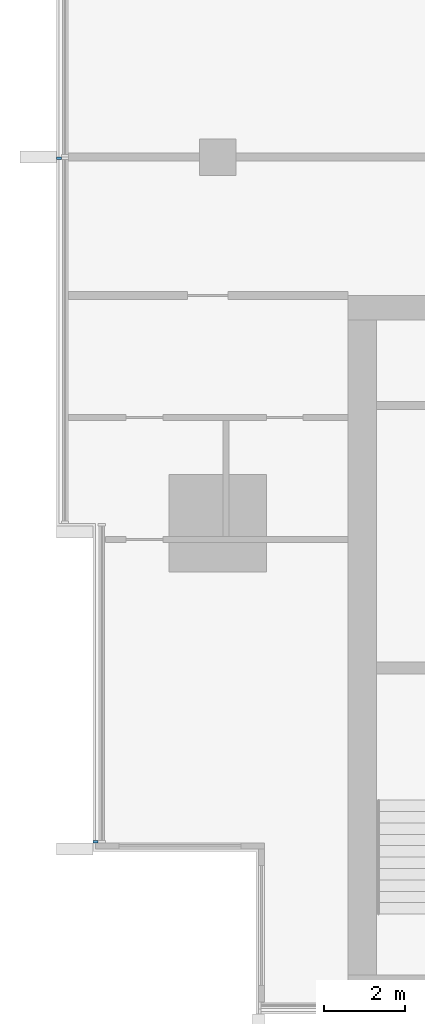
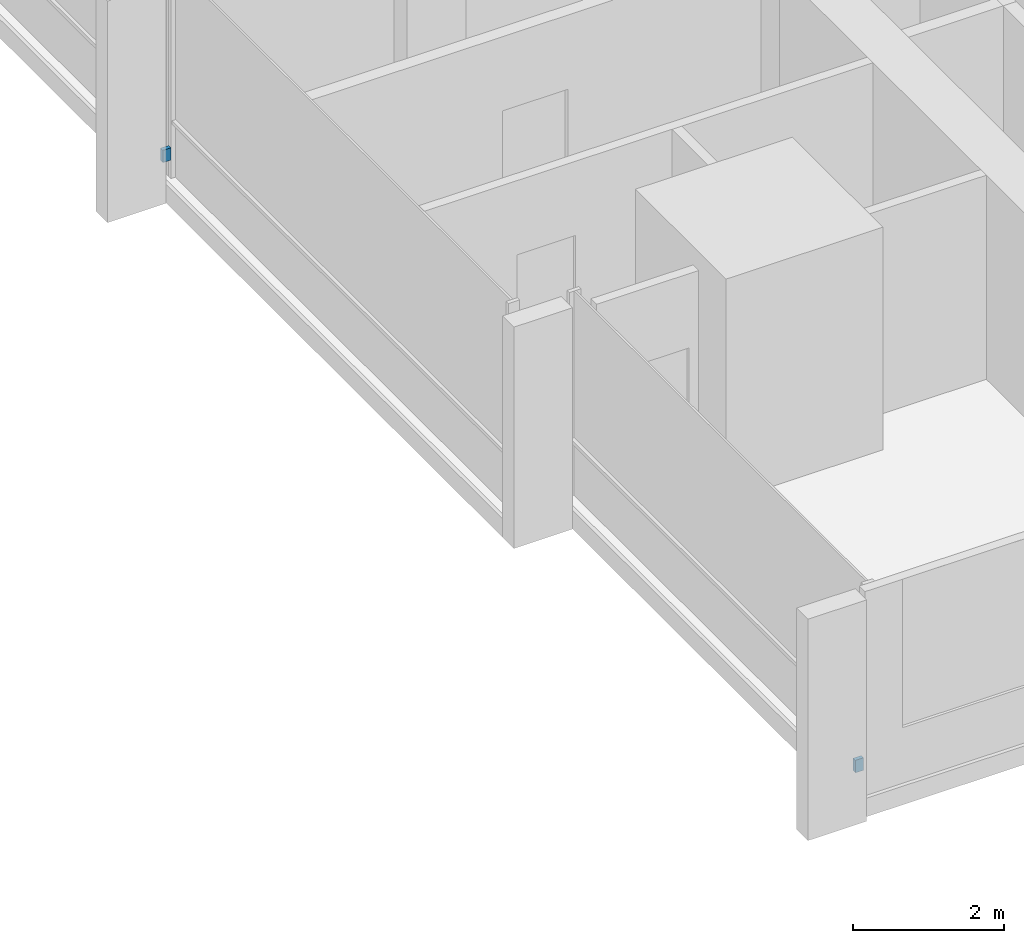
# One storey, part 12 of 16: 2 discrete accessories.
"""IFC4 building model written with IfcOpenShell, lengths in metres."""

import ifcopenshell
import ifcopenshell.guid

model = None  # the IFC model being written
_history = None  # IfcOwnerHistory: only IFC2X3 demands one
_inside = {}  # id of a spatial element -> (the spatial element, [elements in it])
_under = {}  # id of a project, library or spatial element -> (it, [spatial elements below it])
_declared = {}  # id of a project -> (the project, [libraries it declares])
_typed = {}  # id of a type object -> (the type object, [elements of that type])
_made_of = {}  # id of a material, layer set ... -> (it, [elements and type objects made of it])


def new_model(schema):
    """Start an empty IFC model of exactly this schema.

    Asked for "IFC4X3", IfcOpenShell would pick the latest addendum, in which some entities
    have other attributes; the version numbers below select the first issue.
    IFC2X3 requires an IfcOwnerHistory on every rooted entity: one is made here for all.
    """
    global model, _history
    if schema == "IFC4X3":
        model = ifcopenshell.file(schema_version=(4, 3, 0, 0))
    else:
        model = ifcopenshell.file(schema=schema)
    _inside.clear()
    _under.clear()
    _declared.clear()
    _typed.clear()
    _made_of.clear()
    _history = None
    if model.schema == "IFC2X3":
        org = make("IfcOrganization", Name="unknown")
        user = make(
            "IfcPersonAndOrganization",
            ThePerson=make("IfcPerson", FamilyName="unknown"),
            TheOrganization=org,
        )
        app = make(
            "IfcApplication",
            ApplicationDeveloper=org,
            Version="unknown",
            ApplicationFullName="unknown",
            ApplicationIdentifier="unknown",
        )
        _history = make(
            "IfcOwnerHistory",
            OwningUser=user,
            OwningApplication=app,
            ChangeAction="ADDED",
            CreationDate=0,
        )
    return model


def make(cls, **values):
    """One entity of the class cls with the attributes given. An attribute that is None is left unset."""
    return model.create_entity(
        cls, **{name: value for name, value in values.items() if value is not None}
    )


def rooted(cls, **values):
    """An entity with a GlobalId (a new one), such as an element, a storey or a relation."""
    return make(cls, GlobalId=ifcopenshell.guid.new(), OwnerHistory=_history, **values)


def si_unit(unit_type, name, prefix=None):
    """IfcSIUnit, for example si_unit("LENGTHUNIT", "METRE", prefix="MILLI")."""
    return make("IfcSIUnit", UnitType=unit_type, Prefix=prefix, Name=name)


def assignment(units):
    """IfcUnitAssignment: the units of a project."""
    return None if units is None else make("IfcUnitAssignment", Units=units)


def point(xyz):
    """IfcCartesianPoint."""
    return None if xyz is None else make("IfcCartesianPoint", Coordinates=xyz)


def direction(xyz):
    """IfcDirection."""
    return None if xyz is None else make("IfcDirection", DirectionRatios=xyz)


def frame(location, z_axis=None, x_axis=None):
    """IfcAxis2Placement3D, a coordinate frame: its origin and axes. An axis left out is left unset."""
    return make(
        "IfcAxis2Placement3D",
        Location=point(location),
        Axis=direction(z_axis),
        RefDirection=direction(x_axis),
    )


def frame_2d(location, x_axis=None):
    """IfcAxis2Placement2D, a coordinate frame in the plane: its origin and x axis."""
    return make(
        "IfcAxis2Placement2D", Location=point(location), RefDirection=direction(x_axis)
    )


def origin():
    """The frame at (0, 0, 0) with its axes left unset."""
    return frame((0.0, 0.0, 0.0))


def origin_2d():
    """The frame at (0, 0) in the plane with its x axis left unset."""
    return frame_2d((0.0, 0.0))


def place(relative_to, where):
    """IfcLocalPlacement: puts the frame where relative to a parent placement (None: the world)."""
    return make(
        "IfcLocalPlacement", PlacementRelTo=relative_to, RelativePlacement=where
    )


def context(
    kind, dimensions, precision=None, world=None, true_north=None, identifier=None
):
    """IfcGeometricRepresentationContext, for example the 3D "Model" context."""
    return make(
        "IfcGeometricRepresentationContext",
        ContextIdentifier=identifier,
        ContextType=kind,
        CoordinateSpaceDimension=dimensions,
        Precision=precision,
        WorldCoordinateSystem=world,
        TrueNorth=true_north,
    )


def subcontext(parent, identifier, kind, view, scale=None):
    """IfcGeometricRepresentationSubContext, for example "Body" below "Model"."""
    return make(
        "IfcGeometricRepresentationSubContext",
        ContextIdentifier=identifier,
        ContextType=kind,
        ParentContext=parent,
        TargetScale=scale,
        TargetView=view,
    )


def project(units=None, contexts=None):
    """IfcProject with its units and contexts."""
    return rooted(
        "IfcProject",
        Name="project",
        RepresentationContexts=contexts,
        UnitsInContext=assignment(units),
    )


def spatial(cls, under=None, at=None, **own):
    """A site, building, storey or space (cls), placed at a placement, below another one or the project."""
    s = rooted(cls, ObjectPlacement=at, **own)
    if under is not None:
        _under.setdefault(under.id(), (under, []))[1].append(s)
    return s


def profile(cls, at=None, kind="AREA", **sizes):
    """A parametric profile (cls). Its sizes go by their IFC names, for example OverallWidth=200.0."""
    return make(cls, ProfileType=kind, Position=at, **sizes)


def rectangle(**sizes):
    """IfcRectangleProfileDef."""
    return profile("IfcRectangleProfileDef", **sizes)


def extrude(swept, where, along, depth):
    """IfcExtrudedAreaSolid: the profile swept, set in the frame where, extruded along a direction by depth."""
    return make(
        "IfcExtrudedAreaSolid",
        SweptArea=swept,
        Position=where,
        ExtrudedDirection=direction(along),
        Depth=depth,
    )


def shape(context_of_items, identifier, shape_type, items):
    """IfcShapeRepresentation: the items that make up one representation, for example the "Body"."""
    return make(
        "IfcShapeRepresentation",
        ContextOfItems=context_of_items,
        RepresentationIdentifier=identifier,
        RepresentationType=shape_type,
        Items=items,
    )


def material(Name=None, Category=None):
    """IfcMaterial."""
    return make("IfcMaterial", Name=Name, Category=Category)


def made_of(thing, what):
    """Note that an element or type object is made of a material, layer set ...; save() writes the relation."""
    if what is not None:
        _made_of.setdefault(what.id(), (what, []))[1].append(thing)
    return thing


def type_object(cls, material=None, **own):
    """A type object (cls), such as IfcWallType, which elements share."""
    return made_of(rooted(cls, **own), material)


def element(
    cls,
    number,
    at=None,
    inside=None,
    cuts=None,
    type_object=None,
    material=None,
    context=None,
    identifier="Body",
    shape_type=None,
    held_by="IfcProductDefinitionShape",
    body=None,
    shapes=None,
    **own,
):
    """One element of the class cls, such as IfcWall. Its Tag is "e" and its number.

    at: its placement. inside: the storey or other place that contains it. cuts: it is an
    opening in that element (IfcRelVoidsElement). A single representation is given by context,
    identifier, shape_type and body (its items); several are given by shapes. held_by: the class
    of the entity that holds the representations. save() writes the other relations.
    """
    e = rooted(cls, Tag="e%d" % number, ObjectPlacement=at, **own)
    if body is not None:
        shapes = [shape(context, identifier, shape_type, body)]
    if shapes is not None:
        e.Representation = make(held_by, Representations=shapes)
    if inside is not None:
        _inside.setdefault(inside.id(), (inside, []))[1].append(e)
    if cuts is not None:
        rooted(
            "IfcRelVoidsElement", RelatingBuildingElement=cuts, RelatedOpeningElement=e
        )
    if type_object is not None:
        _typed.setdefault(type_object.id(), (type_object, []))[1].append(e)
    return made_of(e, material)


def aggregate(whole, parts):
    """IfcRelAggregates: a whole, such as a stair, and the parts it consists of."""
    return rooted("IfcRelAggregates", RelatingObject=whole, RelatedObjects=parts)


def save(model, path):
    """Write the relations noted so far, then the file.

    IfcRelAggregates (storeys below a building ...), IfcRelContainedInSpatialStructure (elements
    in a storey), IfcRelDefinesByType, IfcRelAssociatesMaterial and IfcRelDeclares: one each for
    every whole, place, type object, material and project.
    """
    for whole, parts in _under.values():
        aggregate(whole, parts)
    for where, things in _inside.values():
        rooted(
            "IfcRelContainedInSpatialStructure",
            RelatedElements=things,
            RelatingStructure=where,
        )
    for kind, things in _typed.values():
        rooted("IfcRelDefinesByType", RelatedObjects=things, RelatingType=kind)
    for what, things in _made_of.values():
        rooted("IfcRelAssociatesMaterial", RelatedObjects=things, RelatingMaterial=what)
    for by, libraries in _declared.values():
        rooted("IfcRelDeclares", RelatingContext=by, RelatedDefinitions=libraries)
    model.write(path)


model = new_model("IFC4")

# Units and contexts
model_context = context("Model", 3, precision=1e-05, world=origin(), true_north=direction((0.0, 1.0)))
body_context = subcontext(model_context, "Body", "Model", "MODEL_VIEW")
ifc_project = project(units=[si_unit("LENGTHUNIT", "METRE"), si_unit("AREAUNIT", "SQUARE_METRE"), si_unit("VOLUMEUNIT", "CUBIC_METRE"), si_unit("PLANEANGLEUNIT", "RADIAN"), si_unit("MASSUNIT", "GRAM", prefix="KILO")], contexts=[model_context])

# Site, building, storey
site_placement = place(None, origin())
site = spatial("IfcSite", under=ifc_project, at=site_placement, CompositionType="ELEMENT")
building_placement = place(site_placement, origin())
building = spatial("IfcBuilding", under=site, at=building_placement, Name="Finial Court Residences", CompositionType="ELEMENT")
storey_placement = place(building_placement, frame((0.0, 0.0, 185.300048828125)))
storey = spatial("IfcBuildingStorey", under=building, at=storey_placement, Name="L46", CompositionType="ELEMENT", Elevation=185.300048828125)

# Discrete accessories
ifc_material = material(Name="Stainless steel 316", Category="steel")
discrete_accessory_type = type_object("IfcDiscreteAccessoryType", Name="Fin bracket, stainless steel 60 x 122 x 200", PredefinedType="BRACKET", material=ifc_material)
for number, where, z_axis, x_axis, name in (
    (1, (-19.498779296875, -21.320068359375, 0.2998046875), (0.0, 0.0, 1.0), (1.0, 0.0, 0.0), "E-L46-FIN-W22-BRK"),
    (2, (-20.398681640625, -4.530029296875, 0.2998046875), (0.0, 0.0, 1.0), (1.0, 0.0, 0.0), "E-L46-FIN-W24-BRK"),
):
    element("IfcDiscreteAccessory", number, at=place(storey_placement, frame(where, z_axis=z_axis, x_axis=x_axis)), inside=storey, type_object=discrete_accessory_type, Name=name, PredefinedType="BRACKET", context=body_context, shape_type="SweptSolid", body=[
        extrude(rectangle(XDim=0.12255859375, YDim=0.06005859375, at=origin_2d()), origin(), (0.0, 0.0, 1.0), 0.199951171875),
    ])

save(model, "model.ifc")
